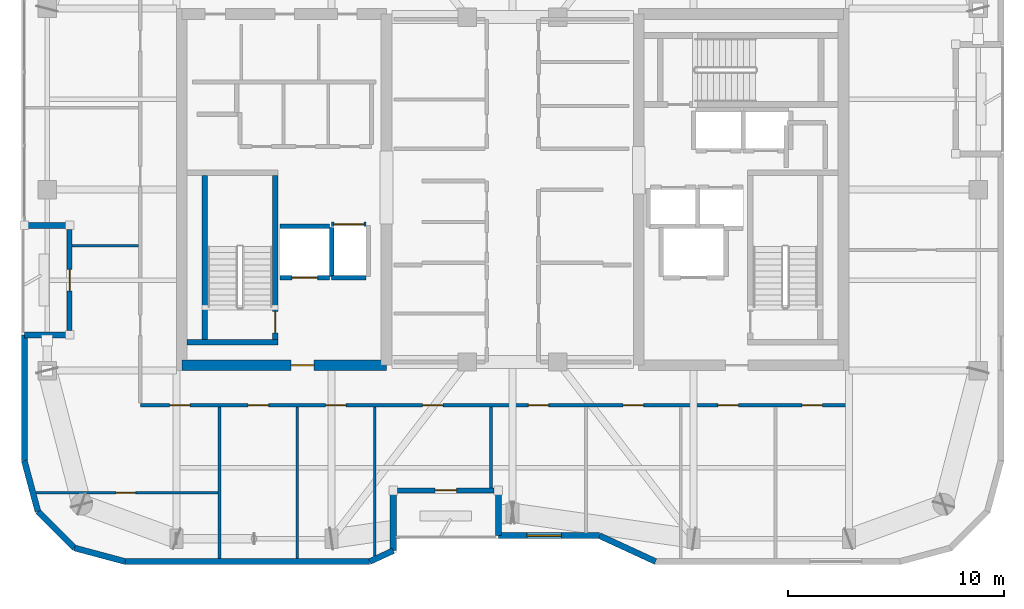
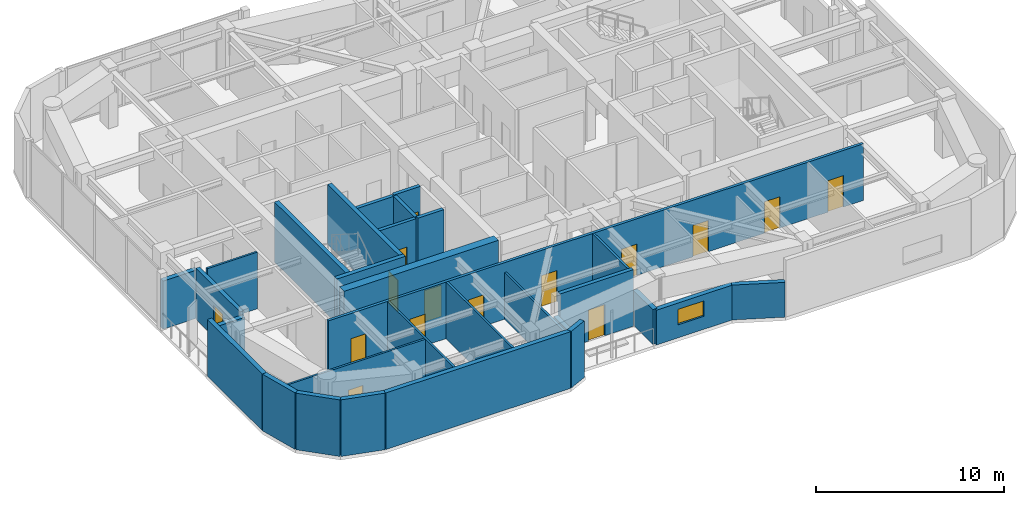
# One storey, part 10 of 16: 30 walls, 15 doors, 1 window, 16 openings.
"""IFC4 building model written with IfcOpenShell, lengths in metres."""

from ifc_helpers import new_model, si_unit, direction, frame, frame_2d, origin, place, context, subcontext, project, spatial, rectangle, extrude, material, layer, layer_set, type_object, element, fill, save


model = new_model("IFC4")

# Units and contexts
model_context = context("Model", 3, precision=1e-05, world=origin(), true_north=direction((0.0, 1.0)))
body_context = subcontext(model_context, "Body", "Model", "MODEL_VIEW")
ifc_project = project(units=[si_unit("LENGTHUNIT", "METRE"), si_unit("AREAUNIT", "SQUARE_METRE"), si_unit("VOLUMEUNIT", "CUBIC_METRE"), si_unit("PLANEANGLEUNIT", "RADIAN"), si_unit("MASSUNIT", "GRAM", prefix="KILO")], contexts=[model_context])

# Site, building, storey
site_placement = place(None, origin())
site = spatial("IfcSite", under=ifc_project, at=site_placement, CompositionType="ELEMENT")
building_placement = place(site_placement, origin())
building = spatial("IfcBuilding", under=site, at=building_placement, Name="Kiyonajd Concourse Tower", CompositionType="ELEMENT")
storey_placement = place(building_placement, frame((0.0, 0.0, 302.39990234375)))
storey = spatial("IfcBuildingStorey", under=building, at=storey_placement, Name="L76", CompositionType="ELEMENT", Elevation=302.39990234375)

# Wall, opening, door
ifc_material_1 = material(Name="Concrete C60/75", Category="concrete")
ifc_layer_1 = layer(ifc_material_1, 0.5)
ifc_layer_set_1 = layer_set([ifc_layer_1], Name="Concrete C60/75")
wall_type_1 = type_object("IfcWallType", Name="WL-CORE-500", PredefinedType="SHEAR", material=ifc_layer_set_1)
wall_1_placement = place(storey_placement, frame((32.64990234375, 27.85009765625, 0.0), z_axis=(0.0, 0.0, 1.0), x_axis=(1.0, 0.0, 0.0)))
wall_1 = element("IfcWall", 1, at=wall_1_placement, inside=storey, type_object=wall_type_1, Name="L76 West Core South Shear Wall", PredefinedType="SHEAR", context=body_context, shape_type="SweptSolid", body=[
    extrude(rectangle(XDim=9.5, YDim=0.5, at=frame_2d((4.75, 0.0))), origin(), (0.0, 0.0, 1.0), 3.900146484375),
])
opening_1_placement = place(wall_1_placement, frame((5.074951171875, 0.0, 0.0)))
opening_1 = element("IfcOpeningElement", 2, at=opening_1_placement, cuts=wall_1, Name="Opening DF5", PredefinedType="OPENING", context=body_context, shape_type="SweptSolid", body=[
    extrude(rectangle(XDim=1.050048828125, YDim=2.0400390625, at=frame_2d((0.52490234375, 1.02001953125))), frame((0.0, 0.260009765625, 0.0), z_axis=(0.0, -1.0, 0.0), x_axis=(1.0, 0.0, 0.0)), (0.0, 0.0, 1.0), 0.52001953125),
])
ifc_material_2 = material(Name="Brushed Stainless Steel Cab Assembly", Category="steel")
door_type_1 = type_object("IfcDoorType", Name="DR-FD45-1050", OperationType="NOTDEFINED", PredefinedType="DOOR", material=ifc_material_2)
door_1_placement = place(opening_1_placement, origin())
door_1 = element("IfcDoor", 3, at=door_1_placement, inside=storey, type_object=door_type_1, Name="L76 Firefighting Lift Lobby W Smoke Door", OperationType="SINGLE_SWING_LEFT", OverallHeight=2.0400390625, OverallWidth=1.050048828125, PredefinedType="DOOR", context=body_context, shape_type="SweptSolid", body=[
    extrude(rectangle(XDim=1.050048828125, YDim=2.0400390625, at=frame_2d((0.52490234375, 1.02001953125))), frame((0.0, 0.02490234375, 0.0), z_axis=(0.0, -1.0, 0.0), x_axis=(1.0, 0.0, 0.0)), (0.0, 0.0, 1.0), 0.050048828125),
])
fill(opening_1, door_1)

# Walls
ifc_material_3 = material(Name="Precast concrete C50/60", Category="concrete")
ifc_layer_2 = layer(ifc_material_3, 0.280029296875)
ifc_layer_set_2 = layer_set([ifc_layer_2], Name="Precast concrete C50/60")
wall_type_2 = type_object("IfcWallType", Name="WL-EXT-280", PredefinedType="SOLIDWALL", material=ifc_layer_set_2)
wall_2_placement = place(storey_placement, frame((25.968505859375, 21.072509765625, 0.0), z_axis=(0.0, 0.0, 1.0), x_axis=(-0.258751159445, 0.965944013639, 0.0)))
element("IfcWall", 4, at=wall_2_placement, inside=storey, type_object=wall_type_2, Name="L76 Exterior Concrete Frame Wall 00", PredefinedType="SOLIDWALL", context=body_context, shape_type="SweptSolid", body=[
    extrude(rectangle(XDim=2.4287109375, YDim=0.280029296875, at=frame_2d((1.21435546875, 0.0))), origin(), (0.0, 0.0, 1.0), 3.68017578125),
])
wall_3_placement = place(storey_placement, frame((25.340087890625, 23.41845703125, 0.0), z_axis=(0.0, 0.0, 1.0), x_axis=(0.0, 1.0, 0.0)))
element("IfcWall", 5, at=wall_3_placement, inside=storey, type_object=wall_type_2, Name="L76 Exterior Concrete Frame Wall 01", PredefinedType="SOLIDWALL", context=body_context, shape_type="SweptSolid", body=[
    extrude(rectangle(XDim=5.841552734375, YDim=0.280029296875, at=frame_2d((2.9208984375, 0.0))), origin(), (0.0, 0.0, 1.0), 3.68017578125),
])
for number, where, z_axis, x_axis, name in (
    (6, (25.340087890625, 29.260009765625, 0.0), (0.0, 0.0, 1.0), (1.0, 0.0, 0.0), "L76 Exterior Concrete Frame Wall 02"),
    (7, (27.43994140625, 34.340087890625, 0.0), (0.0, 0.0, 1.0), (-1.0, 0.0, 0.0), "L76 Exterior Concrete Frame Wall 04"),
):
    element("IfcWall", number, at=place(storey_placement, frame(where, z_axis=z_axis, x_axis=x_axis)), inside=storey, type_object=wall_type_2, Name=name, PredefinedType="SOLIDWALL", context=body_context, shape_type="SweptSolid", body=[
        extrude(rectangle(XDim=2.099853515625, YDim=0.280029296875, at=frame_2d((1.0498046875, 0.0))), origin(), (0.0, 0.0, 1.0), 3.1259765625),
    ])
wall_4_placement = place(storey_placement, frame((54.630615234375, 18.739990234375, 0.0), z_axis=(0.0, 0.0, 1.0), x_axis=(-0.907956889006, 0.419063584324, 0.0)))
element("IfcWall", 8, at=wall_4_placement, inside=storey, type_object=wall_type_2, Name="L76 Exterior Concrete Frame Wall 29", PredefinedType="SOLIDWALL", context=body_context, shape_type="SweptSolid", body=[
    extrude(rectangle(XDim=2.863525390625, YDim=0.280029296875, at=frame_2d((1.431640625, 0.0))), origin(), (0.0, 0.0, 1.0), 2.26513671875),
])

# Wall, opening, window
wall_5_placement = place(storey_placement, frame((52.03076171875, 19.93994140625, 0.0), z_axis=(0.0, 0.0, 1.0), x_axis=(-1.0, 0.0, 0.0)))
wall_5 = element("IfcWall", 9, at=wall_5_placement, inside=storey, type_object=wall_type_2, Name="L76 Exterior Concrete Frame Wall 30", PredefinedType="SOLIDWALL", context=body_context, shape_type="SweptSolid", body=[
    extrude(rectangle(XDim=4.690673828125, YDim=0.280029296875, at=frame_2d((2.34521484375, 0.0))), origin(), (0.0, 0.0, 1.0), 2.26513671875),
])
opening_2_placement = place(wall_5_placement, frame((1.76611328125, 0.0, 0.85009765625)))
opening_2 = element("IfcOpeningElement", 10, at=opening_2_placement, cuts=wall_5, Name="Opening WN6", PredefinedType="OPENING", context=body_context, shape_type="SweptSolid", body=[
    extrude(rectangle(XDim=1.60009765625, YDim=1.0, at=frame_2d((0.800048828125, 0.5))), frame((0.0, 0.14990234375, 0.0), z_axis=(0.0, -1.0, 0.0), x_axis=(1.0, 0.0, 0.0)), (0.0, 0.0, 1.0), 0.300048828125),
])
ifc_material_4 = material(Name="Double Low-E Insulated Glass", Category="glass")
window_type = type_object("IfcWindowType", Name="WN-VIS-1600x1000", PartitioningType="SINGLE_PANEL", PredefinedType="WINDOW", material=ifc_material_4)
window_placement = place(opening_2_placement, origin())
window = element("IfcWindow", 11, at=window_placement, inside=storey, type_object=window_type, Name="L76 Modular Facade Vision Window 30", OverallHeight=1.0, OverallWidth=1.60009765625, PartitioningType="SINGLE_PANEL", PredefinedType="WINDOW", context=body_context, shape_type="SweptSolid", body=[
    extrude(rectangle(XDim=1.60009765625, YDim=1.0, at=frame_2d((0.800048828125, 0.5))), frame((0.0, 0.030029296875, 0.0), z_axis=(0.0, -1.0, 0.0), x_axis=(1.0, 0.0, 0.0)), (0.0, 0.0, 1.0), 0.06005859375),
])
fill(opening_2, window)

# Walls
wall_6_placement = place(storey_placement, frame((47.340087890625, 19.93994140625, 0.0), z_axis=(0.0, 0.0, 1.0), x_axis=(0.0, 1.0, 0.0)))
element("IfcWall", 12, at=wall_6_placement, inside=storey, type_object=wall_type_2, Name="L76 Exterior Concrete Frame Wall 31", PredefinedType="SOLIDWALL", context=body_context, shape_type="SweptSolid", body=[
    extrude(rectangle(XDim=2.10009765625, YDim=0.280029296875, at=frame_2d((1.050048828125, 0.0))), origin(), (0.0, 0.0, 1.0), 2.26513671875),
])
wall_7_placement = place(storey_placement, frame((42.4599609375, 22.0400390625, 0.0), z_axis=(0.0, 0.0, 1.0), x_axis=(0.0, -1.0, 0.0)))
element("IfcWall", 13, at=wall_7_placement, inside=storey, type_object=wall_type_2, Name="L76 Exterior Concrete Frame Wall 33", PredefinedType="SOLIDWALL", context=body_context, shape_type="SweptSolid", body=[
    extrude(rectangle(XDim=2.79638671875, YDim=0.280029296875, at=frame_2d((1.398193359375, 0.0))), origin(), (0.0, 0.0, 1.0), 2.26513671875),
])
wall_8_placement = place(storey_placement, frame((42.4599609375, 19.24365234375, 0.0), z_axis=(0.0, 0.0, 1.0), x_axis=(-0.907893953211, -0.419199916176, 0.0)))
element("IfcWall", 14, at=wall_8_placement, inside=storey, type_object=wall_type_2, Name="L76 Exterior Concrete Frame Wall 34", PredefinedType="SOLIDWALL", context=body_context, shape_type="SweptSolid", body=[
    extrude(rectangle(XDim=1.201416015625, YDim=0.280029296875, at=frame_2d((0.6005859375, 0.0))), origin(), (0.0, 0.0, 1.0), 3.68017578125),
])
wall_9_placement = place(storey_placement, frame((41.369140625, 18.739990234375, 0.0), z_axis=(0.0, 0.0, 1.0), x_axis=(-1.0, 0.0, 0.0)))
element("IfcWall", 15, at=wall_9_placement, inside=storey, type_object=wall_type_2, Name="L76 Exterior Concrete Frame Wall 35", PredefinedType="SOLIDWALL", context=body_context, shape_type="SweptSolid", body=[
    extrude(rectangle(XDim=11.350830078125, YDim=0.280029296875, at=frame_2d((5.67529296875, 0.0))), origin(), (0.0, 0.0, 1.0), 3.68017578125),
])
wall_10_placement = place(storey_placement, frame((30.018310546875, 18.739990234375, 0.0), z_axis=(0.0, 0.0, 1.0), x_axis=(-0.965937282298, 0.25877628691, 0.0)))
element("IfcWall", 16, at=wall_10_placement, inside=storey, type_object=wall_type_2, Name="L76 Exterior Concrete Frame Wall 36", PredefinedType="SOLIDWALL", context=body_context, shape_type="SweptSolid", body=[
    extrude(rectangle(XDim=2.428466796875, YDim=0.280029296875, at=frame_2d((1.21435546875, 0.0))), origin(), (0.0, 0.0, 1.0), 3.68017578125),
])
wall_11_placement = place(storey_placement, frame((27.672607421875, 19.368408203125, 0.0), z_axis=(0.0, 0.0, 1.0), x_axis=(-0.707106781187, 0.707106781187, 0.0)))
element("IfcWall", 17, at=wall_11_placement, inside=storey, type_object=wall_type_2, Name="L76 Exterior Concrete Frame Wall 37", PredefinedType="SOLIDWALL", context=body_context, shape_type="SweptSolid", body=[
    extrude(rectangle(XDim=2.409912109375, YDim=0.280029296875, at=frame_2d((1.205078125, 0.0))), origin(), (0.0, 0.0, 1.0), 3.68017578125),
])

# Wall, opening, door
ifc_layer_3 = layer(ifc_material_3, 0.239990234375)
ifc_layer_set_3 = layer_set([ifc_layer_3], Name="Precast concrete C50/60")
wall_type_3 = type_object("IfcWallType", Name="WL-LOG-240", PredefinedType="SOLIDWALL", material=ifc_layer_set_3)
wall_12_placement = place(storey_placement, frame((27.43994140625, 29.455078125, 0.0), z_axis=(0.0, 0.0, 1.0), x_axis=(0.0, 1.0, 0.0)))
wall_12 = element("IfcWall", 18, at=wall_12_placement, inside=storey, type_object=wall_type_3, Name="L76 Recessed Loggia Thermal Wall LOG-W", PredefinedType="SOLIDWALL", context=body_context, shape_type="SweptSolid", body=[
    extrude(rectangle(XDim=4.68994140625, YDim=0.239990234375, at=frame_2d((2.344970703125, 0.0))), origin(), (0.0, 0.0, 1.0), 3.31103515625),
])
opening_3_placement = place(wall_12_placement, frame((1.844970703125, 0.0, 0.0)))
opening_3 = element("IfcOpeningElement", 19, at=opening_3_placement, cuts=wall_12, Name="Opening DL1", PredefinedType="OPENING", context=body_context, shape_type="SweptSolid", body=[
    extrude(rectangle(XDim=1.0, YDim=2.02001953125, at=frame_2d((0.5, 1.010009765625))), frame((0.0, 0.1298828125, 0.0), z_axis=(0.0, -1.0, 0.0), x_axis=(1.0, 0.0, 0.0)), (0.0, 0.0, 1.0), 0.260009765625),
])
ifc_material_5 = material(Name="Thermally Broken Anodised Aluminium", Category="aluminium")
door_type_2 = type_object("IfcDoorType", Name="DR-LOG-1000", OperationType="NOTDEFINED", PredefinedType="DOOR", material=ifc_material_5)
door_2_placement = place(opening_3_placement, origin())
door_2 = element("IfcDoor", 20, at=door_2_placement, inside=storey, type_object=door_type_2, Name="L76 Engawa Loggia Access Door LOG-W", OperationType="SINGLE_SWING_LEFT", OverallHeight=2.02001953125, OverallWidth=1.0, PredefinedType="DOOR", context=body_context, shape_type="SweptSolid", body=[
    extrude(rectangle(XDim=1.0, YDim=2.02001953125, at=frame_2d((0.5, 1.010009765625))), frame((0.0, 0.02490234375, 0.0), z_axis=(0.0, -1.0, 0.0), x_axis=(1.0, 0.0, 0.0)), (0.0, 0.0, 1.0), 0.050048828125),
])
fill(opening_3, door_2)

wall_13_placement = place(storey_placement, frame((47.14501953125, 22.0400390625, 0.0), z_axis=(0.0, 0.0, 1.0), x_axis=(-1.0, 0.0, 0.0)))
wall_13 = element("IfcWall", 21, at=wall_13_placement, inside=storey, type_object=wall_type_3, Name="L76 Recessed Loggia Thermal Wall LOG-S", PredefinedType="SOLIDWALL", context=body_context, shape_type="SweptSolid", body=[
    extrude(rectangle(XDim=4.489990234375, YDim=0.239990234375, at=frame_2d((2.2451171875, 0.0))), origin(), (0.0, 0.0, 1.0), 3.68017578125),
])
opening_4_placement = place(wall_13_placement, frame((1.7451171875, 0.0, 0.0)))
opening_4 = element("IfcOpeningElement", 22, at=opening_4_placement, cuts=wall_13, Name="Opening DL1", PredefinedType="OPENING", context=body_context, shape_type="SweptSolid", body=[
    extrude(rectangle(XDim=1.0, YDim=2.02001953125, at=frame_2d((0.5, 1.010009765625))), frame((0.0, 0.1298828125, 0.0), z_axis=(0.0, -1.0, 0.0), x_axis=(1.0, 0.0, 0.0)), (0.0, 0.0, 1.0), 0.260009765625),
])
door_3_placement = place(opening_4_placement, origin())
door_3 = element("IfcDoor", 23, at=door_3_placement, inside=storey, type_object=door_type_2, Name="L76 Engawa Loggia Access Door LOG-S", OperationType="SINGLE_SWING_RIGHT", OverallHeight=2.02001953125, OverallWidth=1.0, PredefinedType="DOOR", context=body_context, shape_type="SweptSolid", body=[
    extrude(rectangle(XDim=1.0, YDim=2.02001953125, at=frame_2d((0.5, 1.010009765625))), frame((0.0, 0.02490234375, 0.0), z_axis=(0.0, -1.0, 0.0), x_axis=(1.0, 0.0, 0.0)), (0.0, 0.0, 1.0), 0.050048828125),
])
fill(opening_4, door_3)

ifc_material_6 = material(Name="Gypsum Board on Cold-Formed Steel Stud", Category="steel")
ifc_layer_4 = layer(ifc_material_6, 0.125)
ifc_layer_set_4 = layer_set([ifc_layer_4], Name="Gypsum Board on Cold-Formed Steel Stud")
wall_type_4 = type_object("IfcWallType", Name="WL-PART-125", PredefinedType="PARTITIONING", material=ifc_layer_set_4)
wall_14_placement = place(storey_placement, frame((25.885009765625, 21.929931640625, 0.0), z_axis=(0.0, 0.0, 1.0), x_axis=(1.0, 0.0, 0.0)))
wall_14 = element("IfcWall", 24, at=wall_14_placement, inside=storey, type_object=wall_type_4, Name="L76 Interior Partition Wall", PredefinedType="PARTITIONING", context=body_context, shape_type="SweptSolid", body=[
    extrude(rectangle(XDim=8.514892578125, YDim=0.125, at=frame_2d((4.25732421875, 0.0))), origin(), (0.0, 0.0, 1.0), 3.68017578125),
])
opening_5_placement = place(wall_14_placement, frame((3.715087890625, 0.0, 0.0)))
opening_5 = element("IfcOpeningElement", 25, at=opening_5_placement, cuts=wall_14, Name="Opening DI2", PredefinedType="OPENING", context=body_context, shape_type="SweptSolid", body=[
    extrude(rectangle(XDim=0.89990234375, YDim=2.02001953125, at=frame_2d((0.449951171875, 1.010009765625))), frame((0.0, 0.072509765625, 0.0), z_axis=(0.0, -1.0, 0.0), x_axis=(1.0, 0.0, 0.0)), (0.0, 0.0, 1.0), 0.14501953125),
])
ifc_material_7 = material(Name="Natural Oak Acoustic Timber Veneer", Category="wood")
door_type_3 = type_object("IfcDoorType", Name="DR-INT-900", OperationType="NOTDEFINED", PredefinedType="DOOR", material=ifc_material_7)
door_4_placement = place(opening_5_placement, origin())
door_4 = element("IfcDoor", 26, at=door_4_placement, inside=storey, type_object=door_type_3, Name="L76 Interior Door", OperationType="SINGLE_SWING_LEFT", OverallHeight=2.02001953125, OverallWidth=0.89990234375, PredefinedType="DOOR", context=body_context, shape_type="SweptSolid", body=[
    extrude(rectangle(XDim=0.89990234375, YDim=2.02001953125, at=frame_2d((0.449951171875, 1.010009765625))), frame((0.0, 0.02490234375, 0.0), z_axis=(0.0, -1.0, 0.0), x_axis=(1.0, 0.0, 0.0)), (0.0, 0.0, 1.0), 0.050048828125),
])
fill(opening_5, door_4)

# Walls
for number, where, z_axis, x_axis, name in (
    (27, (34.39990234375, 18.875, 0.0), (0.0, 0.0, 1.0), (0.0, 1.0, 0.0), "L76 Interior Partition Wall"),
    (28, (38.0, 18.875, 0.0), (0.0, 0.0, 1.0), (0.0, 1.0, 0.0), "L76 Interior Partition Wall"),
):
    element("IfcWall", number, at=place(storey_placement, frame(where, z_axis=z_axis, x_axis=x_axis)), inside=storey, type_object=wall_type_4, Name=name, PredefinedType="PARTITIONING", context=body_context, shape_type="SweptSolid", body=[
        extrude(rectangle(XDim=7.0380859375, YDim=0.125, at=frame_2d((3.51904296875, 0.0))), origin(), (0.0, 0.0, 1.0), 3.68017578125),
    ])
wall_15_placement = place(storey_placement, frame((41.60009765625, 18.998046875, 0.0), z_axis=(0.0, 0.0, 1.0), x_axis=(0.0, 1.0, 0.0)))
element("IfcWall", 29, at=wall_15_placement, inside=storey, type_object=wall_type_4, Name="L76 Interior Partition Wall", PredefinedType="PARTITIONING", context=body_context, shape_type="SweptSolid", body=[
    extrude(rectangle(XDim=6.9150390625, YDim=0.125, at=frame_2d((3.45751953125, 0.0))), origin(), (0.0, 0.0, 1.0), 3.043212890625),
])
wall_16_placement = place(storey_placement, frame((47.0, 22.155029296875, 0.0), z_axis=(0.0, 0.0, 1.0), x_axis=(0.0, 1.0, 0.0)))
element("IfcWall", 30, at=wall_16_placement, inside=storey, type_object=wall_type_4, Name="L76 Interior Partition Wall", PredefinedType="PARTITIONING", context=body_context, shape_type="SweptSolid", body=[
    extrude(rectangle(XDim=3.758056640625, YDim=0.125, at=frame_2d((1.87890625, 0.0))), origin(), (0.0, 0.0, 1.0), 3.68017578125),
])
wall_17_placement = place(storey_placement, frame((27.554931640625, 33.39990234375, 0.0), z_axis=(0.0, 0.0, 1.0), x_axis=(1.0, 0.0, 0.0)))
element("IfcWall", 31, at=wall_17_placement, inside=storey, type_object=wall_type_4, Name="L76 Interior Partition Wall", PredefinedType="PARTITIONING", context=body_context, shape_type="SweptSolid", body=[
    extrude(rectangle(XDim=3.0830078125, YDim=0.125, at=frame_2d((1.54150390625, 0.0))), origin(), (0.0, 0.0, 1.0), 3.68017578125),
])

# Wall, opening, door
ifc_layer_5 = layer(ifc_material_6, 0.2099609375)
ifc_layer_set_5 = layer_set([ifc_layer_5], Name="Gypsum Board on Cold-Formed Steel Stud")
wall_type_5 = type_object("IfcWallType", Name="WL-SHAFT-210", PredefinedType="PARTITIONING", material=ifc_layer_set_5)
wall_18_placement = place(storey_placement, frame((37.199951171875, 31.89990234375, 0.0), z_axis=(0.0, 0.0, 1.0), x_axis=(1.0, 0.0, 0.0)))
wall_18 = element("IfcWall", 32, at=wall_18_placement, inside=storey, type_object=wall_type_5, Name="L76 Shaft Enclosure Wall", PredefinedType="PARTITIONING", context=body_context, shape_type="SweptSolid", body=[
    extrude(rectangle(XDim=2.300048828125, YDim=0.2099609375, at=frame_2d((1.14990234375, 0.0))), origin(), (0.0, 0.0, 1.0), 3.68017578125),
])
opening_6_placement = place(wall_18_placement, frame((0.550048828125, 0.0, 0.0)))
opening_6 = element("IfcOpeningElement", 33, at=opening_6_placement, cuts=wall_18, Name="Opening LD2", PredefinedType="OPENING", context=body_context, shape_type="SweptSolid", body=[
    extrude(rectangle(XDim=1.199951171875, YDim=2.0400390625, at=frame_2d((0.60009765625, 1.02001953125))), frame((0.0, 0.114990234375, 0.0), z_axis=(0.0, -1.0, 0.0), x_axis=(1.0, 0.0, 0.0)), (0.0, 0.0, 1.0), 0.22998046875),
])
door_type_4 = type_object("IfcDoorType", Name="DR-LD-1200", OperationType="DOUBLE_DOOR_SLIDING", PredefinedType="DOOR", material=ifc_material_2)
door_5_placement = place(opening_6_placement, origin())
door_5 = element("IfcDoor", 34, at=door_5_placement, inside=storey, type_object=door_type_4, Name="L76 Lift FFL1 Sliding Landing Door", OperationType="DOUBLE_DOOR_SLIDING", OverallHeight=2.0400390625, OverallWidth=1.199951171875, PredefinedType="DOOR", context=body_context, shape_type="SweptSolid", body=[
    extrude(rectangle(XDim=1.199951171875, YDim=2.0400390625, at=frame_2d((0.60009765625, 1.02001953125))), frame((0.0, 0.02490234375, 0.0), z_axis=(0.0, -1.0, 0.0), x_axis=(1.0, 0.0, 0.0)), (0.0, 0.0, 1.0), 0.050048828125),
])
fill(opening_6, door_5)

# Walls
wall_19_placement = place(storey_placement, frame((37.199951171875, 34.300048828125, 0.0), z_axis=(0.0, 0.0, 1.0), x_axis=(1.0, 0.0, 0.0)))
element("IfcWall", 35, at=wall_19_placement, inside=storey, type_object=wall_type_5, Name="L76 Shaft Enclosure Wall", PredefinedType="PARTITIONING", context=body_context, shape_type="SweptSolid", body=[
    extrude(rectangle(XDim=2.300048828125, YDim=0.2099609375, at=frame_2d((1.14990234375, 0.0))), origin(), (0.0, 0.0, 1.0), 3.68017578125),
])
wall_20_placement = place(storey_placement, frame((39.60009765625, 31.9599609375, 0.0), z_axis=(0.0, 0.0, 1.0), x_axis=(0.0, 1.0, 0.0)))
element("IfcWall", 36, at=wall_20_placement, inside=storey, type_object=wall_type_5, Name="L76 Shaft Enclosure Wall", PredefinedType="PARTITIONING", context=body_context, shape_type="SweptSolid", body=[
    extrude(rectangle(XDim=2.280029296875, YDim=0.2099609375, at=frame_2d((1.14013671875, 0.0))), origin(), (0.0, 0.0, 1.0), 3.68017578125),
])

# Wall, opening, door
wall_21_placement = place(storey_placement, frame((39.60009765625, 34.39990234375, 0.0), z_axis=(0.0, 0.0, 1.0), x_axis=(1.0, 0.0, 0.0)))
wall_21 = element("IfcWall", 37, at=wall_21_placement, inside=storey, type_object=wall_type_5, Name="L76 Shaft Enclosure Wall", PredefinedType="PARTITIONING", context=body_context, shape_type="SweptSolid", body=[
    extrude(rectangle(XDim=1.599853515625, YDim=0.2099609375, at=frame_2d((0.7998046875, 0.0))), origin(), (0.0, 0.0, 1.0), 3.68017578125),
])
opening_7_placement = place(wall_21_placement, frame((0.10009765625, 0.0, 0.0)))
opening_7 = element("IfcOpeningElement", 38, at=opening_7_placement, cuts=wall_21, Name="Opening LD3", PredefinedType="OPENING", context=body_context, shape_type="SweptSolid", body=[
    extrude(rectangle(XDim=1.39990234375, YDim=2.06005859375, at=frame_2d((0.699951171875, 1.030029296875))), frame((0.0, 0.114990234375, 0.0), z_axis=(0.0, -1.0, 0.0), x_axis=(1.0, 0.0, 0.0)), (0.0, 0.0, 1.0), 0.22998046875),
])
door_type_5 = type_object("IfcDoorType", Name="DR-LD-1400", OperationType="DOUBLE_DOOR_SLIDING", PredefinedType="DOOR", material=ifc_material_2)
door_6_placement = place(opening_7_placement, origin())
door_6 = element("IfcDoor", 39, at=door_6_placement, inside=storey, type_object=door_type_5, Name="L76 Lift SVL1 Sliding Landing Door", OperationType="DOUBLE_DOOR_SLIDING", OverallHeight=2.06005859375, OverallWidth=1.39990234375, PredefinedType="DOOR", context=body_context, shape_type="SweptSolid", body=[
    extrude(rectangle(XDim=1.39990234375, YDim=2.06005859375, at=frame_2d((0.699951171875, 1.030029296875))), frame((0.0, 0.02490234375, 0.0), z_axis=(0.0, -1.0, 0.0), x_axis=(1.0, 0.0, 0.0)), (0.0, 0.0, 1.0), 0.050048828125),
])
fill(opening_7, door_6)

# Wall
wall_22_placement = place(storey_placement, frame((39.60009765625, 31.89990234375, 0.0), z_axis=(0.0, 0.0, 1.0), x_axis=(1.0, 0.0, 0.0)))
element("IfcWall", 40, at=wall_22_placement, inside=storey, type_object=wall_type_5, Name="L76 Shaft Enclosure Wall", PredefinedType="PARTITIONING", context=body_context, shape_type="SweptSolid", body=[
    extrude(rectangle(XDim=1.599853515625, YDim=0.2099609375, at=frame_2d((0.7998046875, 0.0))), origin(), (0.0, 0.0, 1.0), 3.68017578125),
])

# Wall, openings, doors
ifc_layer_6 = layer(ifc_material_6, 0.169921875)
ifc_layer_set_6 = layer_set([ifc_layer_6], Name="Gypsum Board on Cold-Formed Steel Stud")
wall_type_6 = type_object("IfcWallType", Name="WL-SMK-170", PredefinedType="PARTITIONING", material=ifc_layer_set_6)
wall_23_placement = place(storey_placement, frame((30.72509765625, 26.0, 0.0), z_axis=(0.0, 0.0, 1.0), x_axis=(1.0, 0.0, 0.0)))
wall_23 = element("IfcWall", 41, at=wall_23_placement, inside=storey, type_object=wall_type_6, Name="L76 Interior Partition Wall", PredefinedType="PARTITIONING", context=body_context, shape_type="SweptSolid", body=[
    extrude(rectangle(XDim=32.875, YDim=0.169921875, at=frame_2d((16.4375, 0.0))), origin(), (0.0, 0.0, 1.0), 3.68017578125),
])
opening_8_placement = place(wall_23_placement, frame((1.362060546875, 0.0, 0.0)))
opening_8 = element("IfcOpeningElement", 42, at=opening_8_placement, cuts=wall_23, Name="Opening DI1", PredefinedType="OPENING", context=body_context, shape_type="SweptSolid", body=[
    extrude(rectangle(XDim=0.949951171875, YDim=2.0400390625, at=frame_2d((0.47509765625, 1.02001953125))), frame((0.0, 0.094970703125, 0.0), z_axis=(0.0, -1.0, 0.0), x_axis=(1.0, 0.0, 0.0)), (0.0, 0.0, 1.0), 0.18994140625),
])
opening_9_placement = place(wall_23_placement, frame((5.0, 0.0, 0.0)))
opening_9 = element("IfcOpeningElement", 43, at=opening_9_placement, cuts=wall_23, Name="Opening DI1", PredefinedType="OPENING", context=body_context, shape_type="SweptSolid", body=[
    extrude(rectangle(XDim=0.949951171875, YDim=2.0400390625, at=frame_2d((0.47509765625, 1.02001953125))), frame((0.0, 0.094970703125, 0.0), z_axis=(0.0, -1.0, 0.0), x_axis=(1.0, 0.0, 0.0)), (0.0, 0.0, 1.0), 0.18994140625),
])
opening_10_placement = place(wall_23_placement, frame((8.60009765625, 0.0, 0.0)))
opening_10 = element("IfcOpeningElement", 44, at=opening_10_placement, cuts=wall_23, Name="Opening DI1", PredefinedType="OPENING", context=body_context, shape_type="SweptSolid", body=[
    extrude(rectangle(XDim=0.949951171875, YDim=2.0400390625, at=frame_2d((0.47509765625, 1.02001953125))), frame((0.0, 0.094970703125, 0.0), z_axis=(0.0, -1.0, 0.0), x_axis=(1.0, 0.0, 0.0)), (0.0, 0.0, 1.0), 0.18994140625),
])
opening_11_placement = place(wall_23_placement, frame((13.10009765625, 0.0, 0.0)))
opening_11 = element("IfcOpeningElement", 45, at=opening_11_placement, cuts=wall_23, Name="Opening DI1", PredefinedType="OPENING", context=body_context, shape_type="SweptSolid", body=[
    extrude(rectangle(XDim=0.949951171875, YDim=2.0400390625, at=frame_2d((0.47509765625, 1.02001953125))), frame((0.0, 0.094970703125, 0.0), z_axis=(0.0, -1.0, 0.0), x_axis=(1.0, 0.0, 0.0)), (0.0, 0.0, 1.0), 0.18994140625),
])
opening_12_placement = place(wall_23_placement, frame((18.0, 0.0, 0.0)))
opening_12 = element("IfcOpeningElement", 46, at=opening_12_placement, cuts=wall_23, Name="Opening DI1", PredefinedType="OPENING", context=body_context, shape_type="SweptSolid", body=[
    extrude(rectangle(XDim=0.949951171875, YDim=2.0400390625, at=frame_2d((0.47509765625, 1.02001953125))), frame((0.0, 0.094970703125, 0.0), z_axis=(0.0, -1.0, 0.0), x_axis=(1.0, 0.0, 0.0)), (0.0, 0.0, 1.0), 0.18994140625),
])
opening_13_placement = place(wall_23_placement, frame((22.39990234375, 0.0, 0.0)))
opening_13 = element("IfcOpeningElement", 47, at=opening_13_placement, cuts=wall_23, Name="Opening DI1", PredefinedType="OPENING", context=body_context, shape_type="SweptSolid", body=[
    extrude(rectangle(XDim=0.949951171875, YDim=2.0400390625, at=frame_2d((0.47509765625, 1.02001953125))), frame((0.0, 0.094970703125, 0.0), z_axis=(0.0, -1.0, 0.0), x_axis=(1.0, 0.0, 0.0)), (0.0, 0.0, 1.0), 0.18994140625),
])
opening_14_placement = place(wall_23_placement, frame((26.800048828125, 0.0, 0.0)))
opening_14 = element("IfcOpeningElement", 48, at=opening_14_placement, cuts=wall_23, Name="Opening DI1", PredefinedType="OPENING", context=body_context, shape_type="SweptSolid", body=[
    extrude(rectangle(XDim=0.949951171875, YDim=2.0400390625, at=frame_2d((0.47509765625, 1.02001953125))), frame((0.0, 0.094970703125, 0.0), z_axis=(0.0, -1.0, 0.0), x_axis=(1.0, 0.0, 0.0)), (0.0, 0.0, 1.0), 0.18994140625),
])
opening_15_placement = place(wall_23_placement, frame((30.699951171875, 0.0, 0.0)))
opening_15 = element("IfcOpeningElement", 49, at=opening_15_placement, cuts=wall_23, Name="Opening DI1", PredefinedType="OPENING", context=body_context, shape_type="SweptSolid", body=[
    extrude(rectangle(XDim=0.949951171875, YDim=2.0400390625, at=frame_2d((0.47509765625, 1.02001953125))), frame((0.0, 0.094970703125, 0.0), z_axis=(0.0, -1.0, 0.0), x_axis=(1.0, 0.0, 0.0)), (0.0, 0.0, 1.0), 0.18994140625),
])
door_type_6 = type_object("IfcDoorType", Name="DR-INT-950", OperationType="NOTDEFINED", PredefinedType="DOOR", material=ifc_material_7)
door_7_placement = place(opening_8_placement, origin())
door_7 = element("IfcDoor", 50, at=door_7_placement, inside=storey, type_object=door_type_6, Name="L76 Interior Door", OperationType="SINGLE_SWING_RIGHT", OverallHeight=2.0400390625, OverallWidth=0.949951171875, PredefinedType="DOOR", context=body_context, shape_type="SweptSolid", body=[
    extrude(rectangle(XDim=0.949951171875, YDim=2.0400390625, at=frame_2d((0.47509765625, 1.02001953125))), frame((0.0, 0.02490234375, 0.0), z_axis=(0.0, -1.0, 0.0), x_axis=(1.0, 0.0, 0.0)), (0.0, 0.0, 1.0), 0.050048828125),
])
fill(opening_8, door_7)
door_8_placement = place(opening_9_placement, origin())
door_8 = element("IfcDoor", 51, at=door_8_placement, inside=storey, type_object=door_type_6, Name="L76 Interior Door", OperationType="SINGLE_SWING_LEFT", OverallHeight=2.0400390625, OverallWidth=0.949951171875, PredefinedType="DOOR", context=body_context, shape_type="SweptSolid", body=[
    extrude(rectangle(XDim=0.949951171875, YDim=2.0400390625, at=frame_2d((0.47509765625, 1.02001953125))), frame((0.0, 0.02490234375, 0.0), z_axis=(0.0, -1.0, 0.0), x_axis=(1.0, 0.0, 0.0)), (0.0, 0.0, 1.0), 0.050048828125),
])
fill(opening_9, door_8)
door_9_placement = place(opening_10_placement, origin())
door_9 = element("IfcDoor", 52, at=door_9_placement, inside=storey, type_object=door_type_6, Name="L76 Interior Door", OperationType="SINGLE_SWING_RIGHT", OverallHeight=2.0400390625, OverallWidth=0.949951171875, PredefinedType="DOOR", context=body_context, shape_type="SweptSolid", body=[
    extrude(rectangle(XDim=0.949951171875, YDim=2.0400390625, at=frame_2d((0.47509765625, 1.02001953125))), frame((0.0, 0.02490234375, 0.0), z_axis=(0.0, -1.0, 0.0), x_axis=(1.0, 0.0, 0.0)), (0.0, 0.0, 1.0), 0.050048828125),
])
fill(opening_10, door_9)
door_10_placement = place(opening_11_placement, origin())
door_10 = element("IfcDoor", 53, at=door_10_placement, inside=storey, type_object=door_type_6, Name="L76 Interior Door", OperationType="SINGLE_SWING_LEFT", OverallHeight=2.0400390625, OverallWidth=0.949951171875, PredefinedType="DOOR", context=body_context, shape_type="SweptSolid", body=[
    extrude(rectangle(XDim=0.949951171875, YDim=2.0400390625, at=frame_2d((0.47509765625, 1.02001953125))), frame((0.0, 0.02490234375, 0.0), z_axis=(0.0, -1.0, 0.0), x_axis=(1.0, 0.0, 0.0)), (0.0, 0.0, 1.0), 0.050048828125),
])
fill(opening_11, door_10)
door_11_placement = place(opening_12_placement, origin())
door_11 = element("IfcDoor", 54, at=door_11_placement, inside=storey, type_object=door_type_6, Name="L76 Interior Door", OperationType="SINGLE_SWING_RIGHT", OverallHeight=2.0400390625, OverallWidth=0.949951171875, PredefinedType="DOOR", context=body_context, shape_type="SweptSolid", body=[
    extrude(rectangle(XDim=0.949951171875, YDim=2.0400390625, at=frame_2d((0.47509765625, 1.02001953125))), frame((0.0, 0.02490234375, 0.0), z_axis=(0.0, -1.0, 0.0), x_axis=(1.0, 0.0, 0.0)), (0.0, 0.0, 1.0), 0.050048828125),
])
fill(opening_12, door_11)
door_12_placement = place(opening_13_placement, origin())
door_12 = element("IfcDoor", 55, at=door_12_placement, inside=storey, type_object=door_type_6, Name="L76 Interior Door", OperationType="SINGLE_SWING_LEFT", OverallHeight=2.0400390625, OverallWidth=0.949951171875, PredefinedType="DOOR", context=body_context, shape_type="SweptSolid", body=[
    extrude(rectangle(XDim=0.949951171875, YDim=2.0400390625, at=frame_2d((0.47509765625, 1.02001953125))), frame((0.0, 0.02490234375, 0.0), z_axis=(0.0, -1.0, 0.0), x_axis=(1.0, 0.0, 0.0)), (0.0, 0.0, 1.0), 0.050048828125),
])
fill(opening_13, door_12)
door_13_placement = place(opening_14_placement, origin())
door_13 = element("IfcDoor", 56, at=door_13_placement, inside=storey, type_object=door_type_6, Name="L76 Interior Door", OperationType="SINGLE_SWING_RIGHT", OverallHeight=2.0400390625, OverallWidth=0.949951171875, PredefinedType="DOOR", context=body_context, shape_type="SweptSolid", body=[
    extrude(rectangle(XDim=0.949951171875, YDim=2.0400390625, at=frame_2d((0.47509765625, 1.02001953125))), frame((0.0, 0.02490234375, 0.0), z_axis=(0.0, -1.0, 0.0), x_axis=(1.0, 0.0, 0.0)), (0.0, 0.0, 1.0), 0.050048828125),
])
fill(opening_14, door_13)
door_14_placement = place(opening_15_placement, origin())
door_14 = element("IfcDoor", 57, at=door_14_placement, inside=storey, type_object=door_type_6, Name="L76 Interior Door", OperationType="SINGLE_SWING_LEFT", OverallHeight=2.0400390625, OverallWidth=0.949951171875, PredefinedType="DOOR", context=body_context, shape_type="SweptSolid", body=[
    extrude(rectangle(XDim=0.949951171875, YDim=2.0400390625, at=frame_2d((0.47509765625, 1.02001953125))), frame((0.0, 0.02490234375, 0.0), z_axis=(0.0, -1.0, 0.0), x_axis=(1.0, 0.0, 0.0)), (0.0, 0.0, 1.0), 0.050048828125),
])
fill(opening_15, door_14)

# Walls
ifc_material_8 = material(Name="Concrete C50/60", Category="concrete")
ifc_layer_7 = layer(ifc_material_8, 0.260009765625)
ifc_layer_set_7 = layer_set([ifc_layer_7], Name="Concrete C50/60")
wall_type_7 = type_object("IfcWallType", Name="WL-STAIR-260", PredefinedType="SHEAR", material=ifc_layer_set_7)
wall_24_placement = place(storey_placement, frame((32.89990234375, 28.919921875, 0.0), z_axis=(0.0, 0.0, 1.0), x_axis=(1.0, 0.0, 0.0)))
element("IfcWall", 58, at=wall_24_placement, inside=storey, type_object=wall_type_7, Name="L76 Stair ST1 Structural South Wall", PredefinedType="SHEAR", context=body_context, shape_type="SweptSolid", body=[
    extrude(rectangle(XDim=4.210205078125, YDim=0.260009765625, at=frame_2d((2.10498046875, 0.0))), origin(), (0.0, 0.0, 1.0), 3.900146484375),
])
wall_25_placement = place(storey_placement, frame((33.719970703125, 29.050048828125, 0.0), z_axis=(0.0, 0.0, 1.0), x_axis=(0.0, 1.0, 0.0)))
element("IfcWall", 59, at=wall_25_placement, inside=storey, type_object=wall_type_7, Name="L76 Stair ST1 Structural West Wall", PredefinedType="SHEAR", context=body_context, shape_type="SweptSolid", body=[
    extrude(rectangle(XDim=7.599853515625, YDim=0.260009765625, at=frame_2d((3.7998046875, 0.0))), origin(), (0.0, 0.0, 1.0), 3.900146484375),
])

# Wall, opening, door
wall_26_placement = place(storey_placement, frame((36.97998046875, 29.050048828125, 0.0), z_axis=(0.0, 0.0, 1.0), x_axis=(0.0, 1.0, 0.0)))
wall_26 = element("IfcWall", 60, at=wall_26_placement, inside=storey, type_object=wall_type_7, Name="L76 Stair ST1 Structural East Wall", PredefinedType="SHEAR", context=body_context, shape_type="SweptSolid", body=[
    extrude(rectangle(XDim=7.599853515625, YDim=0.260009765625, at=frame_2d((3.7998046875, 0.0))), origin(), (0.0, 0.0, 1.0), 3.900146484375),
])
opening_16_placement = place(wall_26_placement, frame((0.300048828125, 0.0, 0.0)))
opening_16 = element("IfcOpeningElement", 61, at=opening_16_placement, cuts=wall_26, Name="Opening DF1", PredefinedType="OPENING", context=body_context, shape_type="SweptSolid", body=[
    extrude(rectangle(XDim=1.0, YDim=2.0400390625, at=frame_2d((0.5, 1.02001953125))), frame((0.0, 0.139892578125, 0.0), z_axis=(0.0, -1.0, 0.0), x_axis=(1.0, 0.0, 0.0)), (0.0, 0.0, 1.0), 0.280029296875),
])
door_type_7 = type_object("IfcDoorType", Name="DR-FD90-1000", OperationType="NOTDEFINED", PredefinedType="DOOR", material=ifc_material_2)
door_15_placement = place(opening_16_placement, origin())
door_15 = element("IfcDoor", 62, at=door_15_placement, inside=storey, type_object=door_type_7, Name="L76 Stair ST1 FSAE Door", OperationType="SINGLE_SWING_LEFT", OverallHeight=2.0400390625, OverallWidth=1.0, PredefinedType="DOOR", context=body_context, shape_type="SweptSolid", body=[
    extrude(rectangle(XDim=1.0, YDim=2.0400390625, at=frame_2d((0.5, 1.02001953125))), frame((0.0, 0.02490234375, 0.0), z_axis=(0.0, -1.0, 0.0), x_axis=(1.0, 0.0, 0.0)), (0.0, 0.0, 1.0), 0.050048828125),
])
fill(opening_16, door_15)

save(model, "model.ifc")
